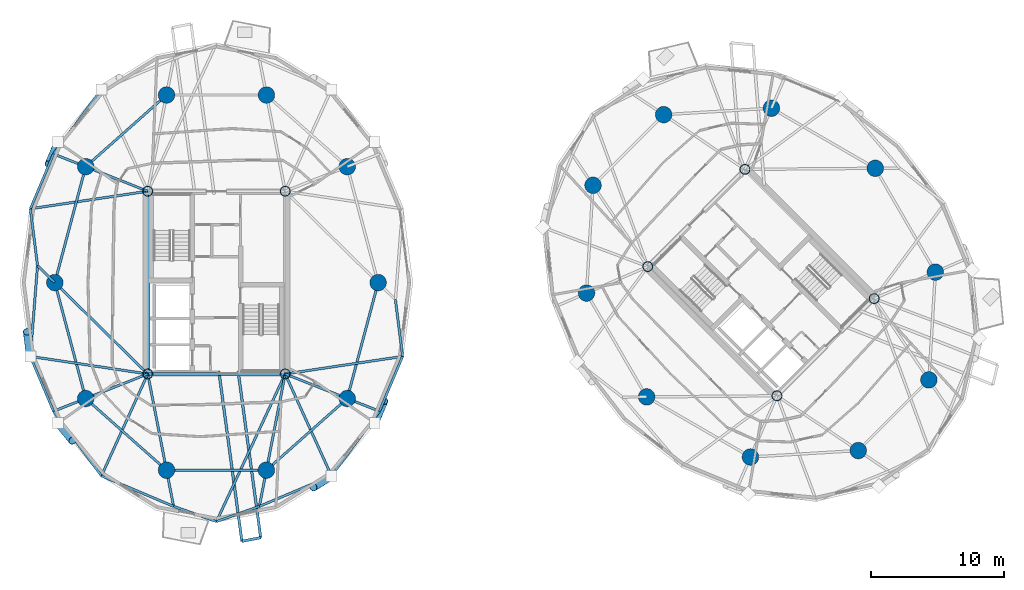
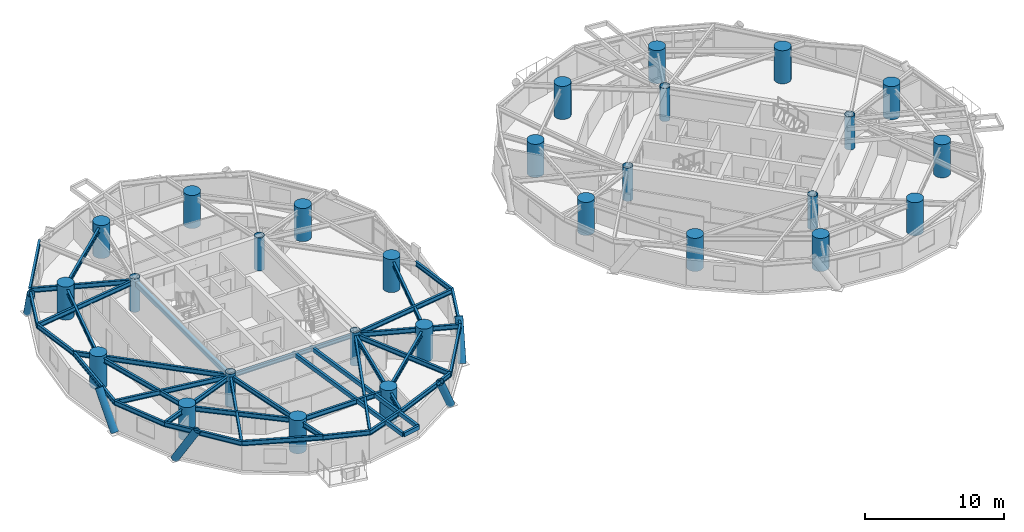
# One storey, part 1 of 19: 38 beams, 28 columns, 5 members.
"""IFC4 building model written with IfcOpenShell, lengths in metres."""

from ifc_helpers import new_model, si_unit, direction, frame, origin, origin_2d, place, context, subcontext, project, spatial, hollow_rectangle, circle, hollow_circle, i_section, extrude, material, material_profile, profile_set, type_object, element, save


model = new_model("IFC4")

# Units and contexts
model_context = context("Model", 3, precision=1e-05, world=origin(), true_north=direction((0.0, 1.0)))
body_context = subcontext(model_context, "Body", "Model", "MODEL_VIEW")
ifc_project = project(units=[si_unit("LENGTHUNIT", "METRE"), si_unit("AREAUNIT", "SQUARE_METRE"), si_unit("VOLUMEUNIT", "CUBIC_METRE"), si_unit("PLANEANGLEUNIT", "RADIAN"), si_unit("MASSUNIT", "GRAM", prefix="KILO")], contexts=[model_context])

# Site, building, storey
site_placement = place(None, origin())
site = spatial("IfcSite", under=ifc_project, at=site_placement, CompositionType="ELEMENT")
building_placement = place(site_placement, origin())
building = spatial("IfcBuilding", under=site, at=building_placement, Name="Cununo Teusaquillo Station Towers", CompositionType="ELEMENT")
storey_placement = place(building_placement, frame((0.0, 0.0, 160.330078125)))
storey = spatial("IfcBuildingStorey", under=building, at=storey_placement, Name="L50", CompositionType="ELEMENT", Elevation=160.330078125)

# Columns
ifc_material_1 = material(Name="Steel EN 10025-2 S355J2", Category="steel")
ifc_material_profile_1 = material_profile(ifc_material_1, hollow_circle(Radius=0.3798828125, WallThickness=0.031982421875, at=origin_2d()), Name="CHS 760x32")
ifc_profile_set_1 = profile_set([ifc_material_profile_1], Name="Steel EN 10025-2 S355J2")
column_type_1 = type_object("IfcColumnType", Name="COL-CORE-Z2", PredefinedType="COLUMN", material=ifc_profile_set_1)
for number, where, z_axis, x_axis, name in (
    (1, (11.324951171875, 17.6201171875, 0.0), (0.0, 0.0, 1.0), (1.0, 0.0, 0.0), "L50 Tower A Core Column 1"),
    (2, (11.324951171875, 31.3798828125, 0.0), (0.0, 0.0, 1.0), (1.0, 0.0, 0.0), "L50 Tower A Core Column 2"),
    (3, (21.675048828125, 17.6201171875, 0.0), (0.0, 0.0, 1.0), (1.0, 0.0, 0.0), "L50 Tower A Core Column 3"),
    (4, (21.675048828125, 31.3798828125, 0.0), (0.0, 0.0, 1.0), (1.0, 0.0, 0.0), "L50 Tower A Core Column 4"),
    (5, (58.70556640625, 15.975830078125, 0.0), (0.0, 0.0, 1.0), (0.707106781187, 0.707106781187, 0.0), "L50 Tower B Core Column 1"),
    (6, (48.975830078125, 25.70556640625, 0.0), (0.0, 0.0, 1.0), (0.707106781187, 0.707106781187, 0.0), "L50 Tower B Core Column 2"),
    (7, (66.024169921875, 23.29443359375, 0.0), (0.0, 0.0, 1.0), (0.707106781187, 0.707106781187, 0.0), "L50 Tower B Core Column 3"),
    (8, (56.29443359375, 33.024169921875, 0.0), (0.0, 0.0, 1.0), (0.707106781187, 0.707106781187, 0.0), "L50 Tower B Core Column 4"),
):
    element("IfcColumn", number, at=place(storey_placement, frame(where, z_axis=z_axis, x_axis=x_axis)), inside=storey, type_object=column_type_1, Name=name, PredefinedType="COLUMN", context=body_context, shape_type="SweptSolid", body=[
        extrude(hollow_circle(Radius=0.3798828125, WallThickness=0.031982421875, at=origin_2d()), origin(), (0.0, 0.0, 1.0), 2.909912109375),
    ])
ifc_material_2 = material(Name="Concrete C60/75", Category="concrete")
ifc_material_profile_2 = material_profile(ifc_material_2, circle(Radius=0.625, at=origin_2d()), Name="RC-CIRC-1250")
ifc_profile_set_2 = profile_set([ifc_material_profile_2], Name="Concrete C60/75")
column_type_2 = type_object("IfcColumnType", Name="COL-MEGA-Z3", PredefinedType="USERDEFINED", material=ifc_profile_set_2)
for number, where, z_axis, x_axis, name in (
    (9, (28.672119140625, 24.5, 0.0), (0.0, 0.0, 1.0), (1.0, 0.0, 0.0), "L50 Tower A Perimeter Column V00"),
    (10, (26.347412109375, 33.228515625, 0.0), (0.0, 0.0, 1.0), (1.0, 0.0, 0.0), "L50 Tower A Perimeter Column V02"),
    (11, (20.261474609375, 38.623291015625, 0.0), (0.0, 0.0, 1.0), (1.0, 0.0, 0.0), "L50 Tower A Perimeter Column V04"),
    (12, (12.738525390625, 38.623291015625, 0.0), (0.0, 0.0, 1.0), (1.0, 0.0, 0.0), "L50 Tower A Perimeter Column V06"),
    (13, (6.652587890625, 33.228515625, 0.0), (0.0, 0.0, 1.0), (1.0, 0.0, 0.0), "L50 Tower A Perimeter Column V08"),
    (14, (4.327880859375, 24.5, 0.0), (0.0, 0.0, 1.0), (1.0, 0.0, 0.0), "L50 Tower A Perimeter Column V10"),
    (15, (6.652587890625, 15.771484375, 0.0), (0.0, 0.0, 1.0), (1.0, 0.0, 0.0), "L50 Tower A Perimeter Column V12"),
    (16, (12.738525390625, 10.376708984375, 0.0), (0.0, 0.0, 1.0), (1.0, 0.0, 0.0), "L50 Tower A Perimeter Column V14"),
    (17, (20.261474609375, 10.376708984375, 0.0), (0.0, 0.0, 1.0), (1.0, 0.0, 0.0), "L50 Tower A Perimeter Column V16"),
    (18, (26.347412109375, 15.771484375, 0.0), (0.0, 0.0, 1.0), (1.0, 0.0, 0.0), "L50 Tower A Perimeter Column V18"),
    (19, (66.10693359375, 33.10693359375, 0.0), (0.0, 0.0, 1.0), (1.0, 0.0, 0.0), "L50 Tower B Perimeter Column V00"),
    (20, (58.291015625, 37.63525390625, 0.0), (0.0, 0.0, 1.0), (1.0, 0.0, 0.0), "L50 Tower B Perimeter Column V02"),
    (21, (50.173095703125, 37.146240234375, 0.0), (0.0, 0.0, 1.0), (1.0, 0.0, 0.0), "L50 Tower B Perimeter Column V04"),
    (22, (44.853759765625, 31.826904296875, 0.0), (0.0, 0.0, 1.0), (1.0, 0.0, 0.0), "L50 Tower B Perimeter Column V06"),
    (23, (44.36474609375, 23.708984375, 0.0), (0.0, 0.0, 1.0), (1.0, 0.0, 0.0), "L50 Tower B Perimeter Column V08"),
    (24, (48.89306640625, 15.89306640625, 0.0), (0.0, 0.0, 1.0), (1.0, 0.0, 0.0), "L50 Tower B Perimeter Column V10"),
    (25, (56.708984375, 11.36474609375, 0.0), (0.0, 0.0, 1.0), (1.0, 0.0, 0.0), "L50 Tower B Perimeter Column V12"),
    (26, (64.826904296875, 11.853759765625, 0.0), (0.0, 0.0, 1.0), (1.0, 0.0, 0.0), "L50 Tower B Perimeter Column V14"),
    (27, (70.146240234375, 17.173095703125, 0.0), (0.0, 0.0, 1.0), (1.0, 0.0, 0.0), "L50 Tower B Perimeter Column V16"),
    (28, (70.63525390625, 25.291015625, 0.0), (0.0, 0.0, 1.0), (1.0, 0.0, 0.0), "L50 Tower B Perimeter Column V18"),
):
    element("IfcColumn", number, at=place(storey_placement, frame(where, z_axis=z_axis, x_axis=x_axis)), inside=storey, type_object=column_type_2, Name=name, ObjectType="MEGA COLUMN", PredefinedType="USERDEFINED", context=body_context, shape_type="SweptSolid", body=[
        extrude(circle(Radius=0.625, at=origin_2d()), origin(), (0.0, 0.0, 1.0), 2.909912109375),
    ])

# Beams
ifc_material_3 = material(Name="Steel EN 10025-2 S355J2", Category="steel")
ifc_material_profile_3 = material_profile(ifc_material_3, hollow_rectangle(XDim=0.199951171875, YDim=0.35009765625, WallThickness=0.013916015625, at=origin_2d()), Name="RHS 350x200x14")
ifc_profile_set_3 = profile_set([ifc_material_profile_3], Name="Steel EN 10025-2 S355J2")
beam_type_1 = type_object("IfcBeamType", Name="BM-BAL-CANT", PredefinedType="BEAM", material=ifc_profile_set_3)
beam_1_placement = place(storey_placement, frame((16.674560546875, 17.85009765625, 2.514892578125), z_axis=(0.13427925042, -0.990943531644, 0.0), x_axis=(0.990943531644, 0.13427925042, 0.0)))
element("IfcBeam", 29, at=beam_1_placement, inside=storey, type_object=beam_type_1, Name="L50 Tower A Balcony Cantilever Bracket 2A", PredefinedType="BEAM", context=body_context, shape_type="SweptSolid", body=[
    extrude(hollow_rectangle(XDim=0.199951171875, YDim=0.35009765625, WallThickness=0.013916015625, at=origin_2d()), origin(), (0.0, 0.0, 1.0), 12.947021484375),
])
beam_2_placement = place(storey_placement, frame((18.127685546875, 17.85009765625, 2.514892578125), z_axis=(0.134274846508, -0.990944128392, 0.0), x_axis=(0.990944128392, 0.134274846508, 0.0)))
element("IfcBeam", 30, at=beam_2_placement, inside=storey, type_object=beam_type_1, Name="L50 Tower A Balcony Cantilever Bracket 2B", PredefinedType="BEAM", context=body_context, shape_type="SweptSolid", body=[
    extrude(hollow_rectangle(XDim=0.199951171875, YDim=0.35009765625, WallThickness=0.013916015625, at=origin_2d()), origin(), (0.0, 0.0, 1.0), 12.671142578125),
])
ifc_material_4 = material(Name="Steel EN 10025-2 S355J2", Category="steel")
ifc_material_profile_4 = material_profile(ifc_material_4, hollow_rectangle(XDim=0.25, YDim=0.449951171875, WallThickness=0.01611328125, at=origin_2d()), Name="RHS 450x250x16")
ifc_profile_set_4 = profile_set([ifc_material_profile_4], Name="Steel EN 10025-2 S355J2")
beam_type_2 = type_object("IfcBeamType", Name="BM-COUP-1", PredefinedType="USERDEFINED", material=ifc_profile_set_4)
beam_3_placement = place(storey_placement, frame((11.324951171875, 17.6201171875, 2.46484375), z_axis=(0.0, 1.0, 0.0), x_axis=(-1.0, 0.0, 0.0)))
element("IfcBeam", 31, at=beam_3_placement, inside=storey, type_object=beam_type_2, Name="L50 Tower A Core Beam 1", ObjectType="COUPLING BEAM", PredefinedType="USERDEFINED", context=body_context, shape_type="SweptSolid", body=[
    extrude(hollow_rectangle(XDim=0.25, YDim=0.449951171875, WallThickness=0.01611328125, at=origin_2d()), origin(), (0.0, 0.0, 1.0), 13.759765625),
])
ifc_material_5 = material(Name="Steel ASTM A572 Grade 50", Category="steel")
ifc_material_profile_5 = material_profile(ifc_material_5, i_section(OverallWidth=0.180908203125, OverallDepth=0.4169921875, WebThickness=0.010986328125, FlangeThickness=0.018310546875, FilletRadius=0.012939453125, at=origin_2d()), Name="W16X57")
ifc_profile_set_5 = profile_set([ifc_material_profile_5], Name="Steel ASTM A572 Grade 50")
beam_type_3 = type_object("IfcBeamType", Name="BM-JOIST-1", PredefinedType="JOIST", material=ifc_profile_set_5)
for number, where, z_axis, x_axis, name in (
    (32, (11.324951171875, 31.3798828125, 2.4814453125), (-0.989018754675, -0.147790063606, 0.0), (0.147790063606, -0.989018754675, 0.0), "L50 Tower A Radial Spandrel Joist V09"),
    (33, (11.324951171875, 17.6201171875, 2.4814453125), (-0.989018754675, 0.147790063606, 0.0), (-0.147790063606, -0.989018754675, 0.0), "L50 Tower A Radial Spandrel Joist V11"),
):
    element("IfcBeam", number, at=place(storey_placement, frame(where, z_axis=z_axis, x_axis=x_axis)), inside=storey, type_object=beam_type_3, Name=name, PredefinedType="JOIST", context=body_context, shape_type="SweptSolid", body=[
        extrude(i_section(OverallWidth=0.180908203125, OverallDepth=0.4169921875, WebThickness=0.010986328125, FlangeThickness=0.018310546875, FilletRadius=0.012939453125, at=origin_2d()), origin(), (0.0, 0.0, 1.0), 8.93701171875),
    ])
beam_4_placement = place(storey_placement, frame((11.324951171875, 17.6201171875, 2.4814453125), z_axis=(-0.413558514621, -0.910477542274, 0.0), x_axis=(0.910477542274, -0.413558514621, 0.0)))
element("IfcBeam", 34, at=beam_4_placement, inside=storey, type_object=beam_type_3, Name="L50 Tower A Radial Spandrel Joist V13", PredefinedType="JOIST", context=body_context, shape_type="SweptSolid", body=[
    extrude(i_section(OverallWidth=0.180908203125, OverallDepth=0.4169921875, WebThickness=0.010986328125, FlangeThickness=0.018310546875, FilletRadius=0.012939453125, at=origin_2d()), origin(), (0.0, 0.0, 1.0), 8.428955078125),
])
beam_5_placement = place(storey_placement, frame((21.675048828125, 17.6201171875, 2.4814453125), z_axis=(-0.422237603969, -0.906485193368, 0.0), x_axis=(0.906485193368, -0.422237603969, 0.0)))
element("IfcBeam", 35, at=beam_5_placement, inside=storey, type_object=beam_type_3, Name="L50 Tower A Radial Spandrel Joist V15", PredefinedType="JOIST", context=body_context, shape_type="SweptSolid", body=[
    extrude(i_section(OverallWidth=0.180908203125, OverallDepth=0.4169921875, WebThickness=0.010986328125, FlangeThickness=0.018310546875, FilletRadius=0.012939453125, at=origin_2d()), origin(), (0.0, 0.0, 1.0), 12.25634765625),
])
beam_6_placement = place(storey_placement, frame((21.675048828125, 17.6201171875, 2.4814453125), z_axis=(0.413558514621, -0.910477542274, 0.0), x_axis=(0.910477542274, 0.413558514621, 0.0)))
element("IfcBeam", 36, at=beam_6_placement, inside=storey, type_object=beam_type_3, Name="L50 Tower A Radial Spandrel Joist V17", PredefinedType="JOIST", context=body_context, shape_type="SweptSolid", body=[
    extrude(i_section(OverallWidth=0.180908203125, OverallDepth=0.4169921875, WebThickness=0.010986328125, FlangeThickness=0.018310546875, FilletRadius=0.012939453125, at=origin_2d()), origin(), (0.0, 0.0, 1.0), 8.428955078125),
])
beam_7_placement = place(storey_placement, frame((21.675048828125, 17.6201171875, 2.4814453125), z_axis=(0.989018754675, 0.147790063606, 0.0), x_axis=(-0.147790063606, 0.989018754675, 0.0)))
element("IfcBeam", 37, at=beam_7_placement, inside=storey, type_object=beam_type_3, Name="L50 Tower A Radial Spandrel Joist V19", PredefinedType="JOIST", context=body_context, shape_type="SweptSolid", body=[
    extrude(i_section(OverallWidth=0.180908203125, OverallDepth=0.4169921875, WebThickness=0.010986328125, FlangeThickness=0.018310546875, FilletRadius=0.012939453125, at=origin_2d()), origin(), (0.0, 0.0, 1.0), 8.93701171875),
])
ifc_material_6 = material(Name="Steel ASTM A572 Grade 50", Category="steel")
ifc_material_profile_6 = material_profile(ifc_material_6, i_section(OverallWidth=0.2041015625, OverallDepth=0.35009765625, WebThickness=0.008544921875, FlangeThickness=0.01513671875, FilletRadius=0.011962890625, at=origin_2d()), Name="W14X48")
ifc_profile_set_6 = profile_set([ifc_material_profile_6], Name="Steel ASTM A572 Grade 50")
beam_type_4 = type_object("IfcBeamType", Name="BM-LINTEL-1", PredefinedType="LINTEL", material=ifc_profile_set_6)
beam_8_placement = place(storey_placement, frame((11.324951171875, 17.6201171875, 2.514892578125), z_axis=(1.0, 0.0, 0.0), x_axis=(0.0, 1.0, 0.0)))
element("IfcBeam", 38, at=beam_8_placement, inside=storey, type_object=beam_type_4, Name="L50 Tower A Core Beam 3", PredefinedType="LINTEL", context=body_context, shape_type="SweptSolid", body=[
    extrude(i_section(OverallWidth=0.2041015625, OverallDepth=0.35009765625, WebThickness=0.008544921875, FlangeThickness=0.01513671875, FilletRadius=0.011962890625, at=origin_2d()), origin(), (0.0, 0.0, 1.0), 10.35009765625),
])
ifc_material_7 = material(Name="Steel ASTM A572 Grade 50", Category="steel")
ifc_material_profile_7 = material_profile(ifc_material_7, i_section(OverallWidth=0.180908203125, OverallDepth=0.4169921875, WebThickness=0.010986328125, FlangeThickness=0.018310546875, FilletRadius=0.012939453125, at=origin_2d()), Name="W16X57")
ifc_profile_set_7 = profile_set([ifc_material_profile_7], Name="Steel ASTM A572 Grade 50")
beam_type_5 = type_object("IfcBeamType", Name="BM-RAD-G2", PredefinedType="BEAM", material=ifc_profile_set_7)
beam_9_placement = place(storey_placement, frame((11.324951171875, 31.3798828125, 2.4814453125), z_axis=(-0.929862250459, 0.367907862341, 0.0), x_axis=(-0.367907862341, -0.929862250459, 0.0)))
element("IfcBeam", 39, at=beam_9_placement, inside=storey, type_object=beam_type_5, Name="L50 Tower A Continuous Overhanging Radial Girder 05", PredefinedType="BEAM", context=body_context, shape_type="SweptSolid", body=[
    extrude(i_section(OverallWidth=0.180908203125, OverallDepth=0.4169921875, WebThickness=0.010986328125, FlangeThickness=0.018310546875, FilletRadius=0.012939453125, at=origin_2d()), origin(), (0.0, 0.0, 1.0), 7.632080078125),
])
beam_10_placement = place(storey_placement, frame((11.324951171875, 17.6201171875, 2.4814453125), z_axis=(-0.713052701438, 0.701110437073, 0.0), x_axis=(-0.701110437073, -0.713052701438, 0.0)))
element("IfcBeam", 40, at=beam_10_placement, inside=storey, type_object=beam_type_5, Name="L50 Tower A Radial Girder 06A", PredefinedType="BEAM", context=body_context, shape_type="SweptSolid", body=[
    extrude(i_section(OverallWidth=0.180908203125, OverallDepth=0.4169921875, WebThickness=0.010986328125, FlangeThickness=0.018310546875, FilletRadius=0.012939453125, at=origin_2d()), origin(), (0.0, 0.0, 1.0), 9.812744140625),
])
beam_11_placement = place(storey_placement, frame((4.327880859375, 24.5, 2.4814453125), z_axis=(-0.713027019349, 0.701136555657, 0.0), x_axis=(-0.701136555657, -0.713027019349, 0.0)))
element("IfcBeam", 41, at=beam_11_placement, inside=storey, type_object=beam_type_5, Name="L50 Tower A Perimeter Overhang Girder 06B", PredefinedType="BEAM", context=body_context, shape_type="SweptSolid", body=[
    extrude(i_section(OverallWidth=0.180908203125, OverallDepth=0.4169921875, WebThickness=0.010986328125, FlangeThickness=0.018310546875, FilletRadius=0.012939453125, at=origin_2d()), origin(), (0.0, 0.0, 1.0), 1.827392578125),
])
beam_12_placement = place(storey_placement, frame((11.324951171875, 17.6201171875, 2.4814453125), z_axis=(-0.929862250459, -0.367907862341, 0.0), x_axis=(0.367907862341, -0.929862250459, 0.0)))
element("IfcBeam", 42, at=beam_12_placement, inside=storey, type_object=beam_type_5, Name="L50 Tower A Continuous Overhanging Radial Girder 07", PredefinedType="BEAM", context=body_context, shape_type="SweptSolid", body=[
    extrude(i_section(OverallWidth=0.180908203125, OverallDepth=0.4169921875, WebThickness=0.010986328125, FlangeThickness=0.018310546875, FilletRadius=0.012939453125, at=origin_2d()), origin(), (0.0, 0.0, 1.0), 7.632080078125),
])
for number, where, z_axis, x_axis, name in (
    (43, (11.324951171875, 17.6201171875, 2.4814453125), (0.191552706487, -0.981482328235, 0.0), (0.981482328235, 0.191552706487, 0.0), "L50 Tower A Continuous Overhanging Radial Girder 08"),
    (44, (21.675048828125, 17.6201171875, 2.4814453125), (-0.191552706487, -0.981482328235, 0.0), (0.981482328235, -0.191552706487, 0.0), "L50 Tower A Continuous Overhanging Radial Girder 09"),
):
    element("IfcBeam", number, at=place(storey_placement, frame(where, z_axis=z_axis, x_axis=x_axis)), inside=storey, type_object=beam_type_5, Name=name, PredefinedType="BEAM", context=body_context, shape_type="SweptSolid", body=[
        extrude(i_section(OverallWidth=0.180908203125, OverallDepth=0.4169921875, WebThickness=0.010986328125, FlangeThickness=0.018310546875, FilletRadius=0.012939453125, at=origin_2d()), origin(), (0.0, 0.0, 1.0), 10.159423828125),
    ])
beam_13_placement = place(storey_placement, frame((21.675048828125, 17.6201171875, 2.4814453125), z_axis=(0.929862250459, -0.367907862341, 0.0), x_axis=(0.367907862341, 0.929862250459, 0.0)))
element("IfcBeam", 45, at=beam_13_placement, inside=storey, type_object=beam_type_5, Name="L50 Tower A Continuous Overhanging Radial Girder 10", PredefinedType="BEAM", context=body_context, shape_type="SweptSolid", body=[
    extrude(i_section(OverallWidth=0.180908203125, OverallDepth=0.4169921875, WebThickness=0.010986328125, FlangeThickness=0.018310546875, FilletRadius=0.012939453125, at=origin_2d()), origin(), (0.0, 0.0, 1.0), 7.632080078125),
])
ifc_material_8 = material(Name="Steel ASTM A572 Grade 50", Category="steel")
ifc_material_profile_8 = material_profile(ifc_material_8, i_section(OverallWidth=0.180908203125, OverallDepth=0.4169921875, WebThickness=0.010986328125, FlangeThickness=0.018310546875, FilletRadius=0.012939453125, at=origin_2d()), Name="W16X57")
ifc_profile_set_8 = profile_set([ifc_material_profile_8], Name="Steel ASTM A572 Grade 50")
beam_type_6 = type_object("IfcBeamType", Name="BM-RING-Z3", PredefinedType="SPANDREL", material=ifc_profile_set_8)
beam_14_placement = place(storey_placement, frame((12.738525390625, 38.623291015625, 2.4814453125), z_axis=(-0.74832120039, -0.66333655187, 0.0), x_axis=(0.66333655187, -0.74832120039, 0.0)))
element("IfcBeam", 46, at=beam_14_placement, inside=storey, type_object=beam_type_6, Name="L50 Tower A Structural Column Ring Girder 04", PredefinedType="SPANDREL", context=body_context, shape_type="SweptSolid", body=[
    extrude(i_section(OverallWidth=0.180908203125, OverallDepth=0.4169921875, WebThickness=0.010986328125, FlangeThickness=0.018310546875, FilletRadius=0.012939453125, at=origin_2d()), origin(), (0.0, 0.0, 1.0), 8.1328125),
])
for number, where, z_axis, x_axis, name in (
    (47, (6.652587890625, 33.228515625, 2.4814453125), (-0.257363196347, -0.966314744359, 0.0), (0.966314744359, -0.257363196347, 0.0), "L50 Tower A Structural Column Ring Girder 05"),
    (48, (4.327880859375, 24.5, 2.4814453125), (0.257363196347, -0.966314744359, 0.0), (0.966314744359, 0.257363196347, 0.0), "L50 Tower A Structural Column Ring Girder 06"),
):
    element("IfcBeam", number, at=place(storey_placement, frame(where, z_axis=z_axis, x_axis=x_axis)), inside=storey, type_object=beam_type_6, Name=name, PredefinedType="SPANDREL", context=body_context, shape_type="SweptSolid", body=[
        extrude(i_section(OverallWidth=0.180908203125, OverallDepth=0.4169921875, WebThickness=0.010986328125, FlangeThickness=0.018310546875, FilletRadius=0.012939453125, at=origin_2d()), origin(), (0.0, 0.0, 1.0), 9.03271484375),
    ])
beam_15_placement = place(storey_placement, frame((6.652587890625, 15.771484375, 2.4814453125), z_axis=(0.74832120039, -0.66333655187, 0.0), x_axis=(0.66333655187, 0.74832120039, 0.0)))
element("IfcBeam", 49, at=beam_15_placement, inside=storey, type_object=beam_type_6, Name="L50 Tower A Structural Column Ring Girder 07", PredefinedType="SPANDREL", context=body_context, shape_type="SweptSolid", body=[
    extrude(i_section(OverallWidth=0.180908203125, OverallDepth=0.4169921875, WebThickness=0.010986328125, FlangeThickness=0.018310546875, FilletRadius=0.012939453125, at=origin_2d()), origin(), (0.0, 0.0, 1.0), 8.1328125),
])
beam_16_placement = place(storey_placement, frame((12.738525390625, 10.376708984375, 2.4814453125), z_axis=(1.0, 0.0, 0.0), x_axis=(0.0, 1.0, 0.0)))
element("IfcBeam", 50, at=beam_16_placement, inside=storey, type_object=beam_type_6, Name="L50 Tower A Structural Column Ring Girder 08", PredefinedType="SPANDREL", context=body_context, shape_type="SweptSolid", body=[
    extrude(i_section(OverallWidth=0.180908203125, OverallDepth=0.4169921875, WebThickness=0.010986328125, FlangeThickness=0.018310546875, FilletRadius=0.012939453125, at=origin_2d()), origin(), (0.0, 0.0, 1.0), 7.52294921875),
])
beam_17_placement = place(storey_placement, frame((20.261474609375, 10.376708984375, 2.4814453125), z_axis=(0.74832120039, 0.66333655187, 0.0), x_axis=(-0.66333655187, 0.74832120039, 0.0)))
element("IfcBeam", 51, at=beam_17_placement, inside=storey, type_object=beam_type_6, Name="L50 Tower A Structural Column Ring Girder 09", PredefinedType="SPANDREL", context=body_context, shape_type="SweptSolid", body=[
    extrude(i_section(OverallWidth=0.180908203125, OverallDepth=0.4169921875, WebThickness=0.010986328125, FlangeThickness=0.018310546875, FilletRadius=0.012939453125, at=origin_2d()), origin(), (0.0, 0.0, 1.0), 8.1328125),
])
beam_18_placement = place(storey_placement, frame((26.347412109375, 15.771484375, 2.4814453125), z_axis=(0.257363196347, 0.966314744359, 0.0), x_axis=(-0.966314744359, 0.257363196347, 0.0)))
element("IfcBeam", 52, at=beam_18_placement, inside=storey, type_object=beam_type_6, Name="L50 Tower A Structural Column Ring Girder 10", PredefinedType="SPANDREL", context=body_context, shape_type="SweptSolid", body=[
    extrude(i_section(OverallWidth=0.180908203125, OverallDepth=0.4169921875, WebThickness=0.010986328125, FlangeThickness=0.018310546875, FilletRadius=0.012939453125, at=origin_2d()), origin(), (0.0, 0.0, 1.0), 9.03271484375),
])
beam_19_placement = place(storey_placement, frame((7.839111328125, 39.05419921875, 2.4814453125), z_axis=(-0.595872908853, -0.803078748626, 0.0), x_axis=(0.803078748626, -0.595872908853, 0.0)))
element("IfcBeam", 53, at=beam_19_placement, inside=storey, type_object=beam_type_6, Name="L50 Tower A Spandrel Ring Beam 08", PredefinedType="SPANDREL", context=body_context, shape_type="SweptSolid", body=[
    extrude(i_section(OverallWidth=0.180908203125, OverallDepth=0.4169921875, WebThickness=0.010986328125, FlangeThickness=0.018310546875, FilletRadius=0.012939453125, at=origin_2d()), origin(), (0.0, 0.0, 1.0), 6.059814453125),
])
beam_20_placement = place(storey_placement, frame((4.228271484375, 34.187744140625, 2.4814453125), z_axis=(-0.388777827816, -0.921331536744, 0.0), x_axis=(0.921331536744, -0.388777827816, 0.0)))
element("IfcBeam", 54, at=beam_20_placement, inside=storey, type_object=beam_type_6, Name="L50 Tower A Spandrel Ring Beam 09", PredefinedType="SPANDREL", context=body_context, shape_type="SweptSolid", body=[
    extrude(i_section(OverallWidth=0.180908203125, OverallDepth=0.4169921875, WebThickness=0.010986328125, FlangeThickness=0.018310546875, FilletRadius=0.012939453125, at=origin_2d()), origin(), (0.0, 0.0, 1.0), 4.481201171875),
])
beam_21_placement = place(storey_placement, frame((2.486083984375, 30.05908203125, 2.4814453125), z_axis=(0.124968535363, -0.992160705314, 0.0), x_axis=(0.992160705314, 0.124968535363, 0.0)))
element("IfcBeam", 55, at=beam_21_placement, inside=storey, type_object=beam_type_6, Name="L50 Tower A Spandrel Ring Beam 10", PredefinedType="SPANDREL", context=body_context, shape_type="SweptSolid", body=[
    extrude(i_section(OverallWidth=0.180908203125, OverallDepth=0.4169921875, WebThickness=0.010986328125, FlangeThickness=0.018310546875, FilletRadius=0.012939453125, at=origin_2d()), origin(), (0.0, 0.0, 1.0), 4.3115234375),
])
beam_22_placement = place(storey_placement, frame((3.02490234375, 25.78125, 2.4814453125), z_axis=(-0.078527541639, -0.996911944559, 0.0), x_axis=(0.996911944559, -0.078527541639, 0.0)))
element("IfcBeam", 56, at=beam_22_placement, inside=storey, type_object=beam_type_6, Name="L50 Tower A Spandrel Ring Beam 11", PredefinedType="SPANDREL", context=body_context, shape_type="SweptSolid", body=[
    extrude(i_section(OverallWidth=0.180908203125, OverallDepth=0.4169921875, WebThickness=0.010986328125, FlangeThickness=0.018310546875, FilletRadius=0.012939453125, at=origin_2d()), origin(), (0.0, 0.0, 1.0), 6.861572265625),
])
beam_23_placement = place(storey_placement, frame((2.486083984375, 18.94091796875, 2.4814453125), z_axis=(0.388777827816, -0.921331536744, 0.0), x_axis=(0.921331536744, 0.388777827816, 0.0)))
element("IfcBeam", 57, at=beam_23_placement, inside=storey, type_object=beam_type_6, Name="L50 Tower A Spandrel Ring Beam 12", PredefinedType="SPANDREL", context=body_context, shape_type="SweptSolid", body=[
    extrude(i_section(OverallWidth=0.180908203125, OverallDepth=0.4169921875, WebThickness=0.010986328125, FlangeThickness=0.018310546875, FilletRadius=0.012939453125, at=origin_2d()), origin(), (0.0, 0.0, 1.0), 4.481201171875),
])
beam_24_placement = place(storey_placement, frame((4.228271484375, 14.812255859375, 2.4814453125), z_axis=(0.595872908853, -0.803078748626, 0.0), x_axis=(0.803078748626, 0.595872908853, 0.0)))
element("IfcBeam", 58, at=beam_24_placement, inside=storey, type_object=beam_type_6, Name="L50 Tower A Spandrel Ring Beam 13", PredefinedType="SPANDREL", context=body_context, shape_type="SweptSolid", body=[
    extrude(i_section(OverallWidth=0.180908203125, OverallDepth=0.4169921875, WebThickness=0.010986328125, FlangeThickness=0.018310546875, FilletRadius=0.012939453125, at=origin_2d()), origin(), (0.0, 0.0, 1.0), 6.059814453125),
])
beam_25_placement = place(storey_placement, frame((7.839111328125, 9.94580078125, 2.4814453125), z_axis=(0.921042081118, -0.38946307246, 0.0), x_axis=(0.38946307246, 0.921042081118, 0.0)))
element("IfcBeam", 59, at=beam_25_placement, inside=storey, type_object=beam_type_6, Name="L50 Tower A Spandrel Ring Beam 14", PredefinedType="SPANDREL", context=body_context, shape_type="SweptSolid", body=[
    extrude(i_section(OverallWidth=0.180908203125, OverallDepth=0.4169921875, WebThickness=0.010986328125, FlangeThickness=0.018310546875, FilletRadius=0.012939453125, at=origin_2d()), origin(), (0.0, 0.0, 1.0), 5.8974609375),
])
for number, where, z_axis, x_axis, name in (
    (60, (13.27099609375, 7.64892578125, 2.4814453125), (0.943057449198, -0.332629895698, 0.0), (0.332629895698, 0.943057449198, 0.0), "L50 Tower A Spandrel Ring Beam 15"),
    (61, (16.5, 6.510009765625, 2.4814453125), (0.943057449198, 0.332629895698, 0.0), (-0.332629895698, 0.943057449198, 0.0), "L50 Tower A Spandrel Ring Beam 16"),
):
    element("IfcBeam", number, at=place(storey_placement, frame(where, z_axis=z_axis, x_axis=x_axis)), inside=storey, type_object=beam_type_6, Name=name, PredefinedType="SPANDREL", context=body_context, shape_type="SweptSolid", body=[
        extrude(i_section(OverallWidth=0.180908203125, OverallDepth=0.4169921875, WebThickness=0.010986328125, FlangeThickness=0.018310546875, FilletRadius=0.012939453125, at=origin_2d()), origin(), (0.0, 0.0, 1.0), 3.424072265625),
    ])
beam_26_placement = place(storey_placement, frame((19.72900390625, 7.64892578125, 2.4814453125), z_axis=(0.921042081118, 0.38946307246, 0.0), x_axis=(-0.38946307246, 0.921042081118, 0.0)))
element("IfcBeam", 62, at=beam_26_placement, inside=storey, type_object=beam_type_6, Name="L50 Tower A Spandrel Ring Beam 17", PredefinedType="SPANDREL", context=body_context, shape_type="SweptSolid", body=[
    extrude(i_section(OverallWidth=0.180908203125, OverallDepth=0.4169921875, WebThickness=0.010986328125, FlangeThickness=0.018310546875, FilletRadius=0.012939453125, at=origin_2d()), origin(), (0.0, 0.0, 1.0), 5.8974609375),
])
beam_27_placement = place(storey_placement, frame((25.160888671875, 9.94580078125, 2.4814453125), z_axis=(0.595872908853, 0.803078748626, 0.0), x_axis=(-0.803078748626, 0.595872908853, 0.0)))
element("IfcBeam", 63, at=beam_27_placement, inside=storey, type_object=beam_type_6, Name="L50 Tower A Spandrel Ring Beam 18", PredefinedType="SPANDREL", context=body_context, shape_type="SweptSolid", body=[
    extrude(i_section(OverallWidth=0.180908203125, OverallDepth=0.4169921875, WebThickness=0.010986328125, FlangeThickness=0.018310546875, FilletRadius=0.012939453125, at=origin_2d()), origin(), (0.0, 0.0, 1.0), 6.059814453125),
])
beam_28_placement = place(storey_placement, frame((28.771728515625, 14.812255859375, 2.4814453125), z_axis=(0.388777827816, 0.921331536744, 0.0), x_axis=(-0.921331536744, 0.388777827816, 0.0)))
element("IfcBeam", 64, at=beam_28_placement, inside=storey, type_object=beam_type_6, Name="L50 Tower A Spandrel Ring Beam 19", PredefinedType="SPANDREL", context=body_context, shape_type="SweptSolid", body=[
    extrude(i_section(OverallWidth=0.180908203125, OverallDepth=0.4169921875, WebThickness=0.010986328125, FlangeThickness=0.018310546875, FilletRadius=0.012939453125, at=origin_2d()), origin(), (0.0, 0.0, 1.0), 4.481201171875),
])
beam_29_placement = place(storey_placement, frame((30.513916015625, 18.94091796875, 2.4814453125), z_axis=(-0.124968535363, 0.992160705314, 0.0), x_axis=(-0.992160705314, -0.124968535363, 0.0)))
element("IfcBeam", 65, at=beam_29_placement, inside=storey, type_object=beam_type_6, Name="L50 Tower A Spandrel Ring Beam 20", PredefinedType="SPANDREL", context=body_context, shape_type="SweptSolid", body=[
    extrude(i_section(OverallWidth=0.180908203125, OverallDepth=0.4169921875, WebThickness=0.010986328125, FlangeThickness=0.018310546875, FilletRadius=0.012939453125, at=origin_2d()), origin(), (0.0, 0.0, 1.0), 4.3115234375),
])
ifc_material_9 = material(Name="Steel EN 10025-2 S355J2", Category="steel")
ifc_material_profile_9 = material_profile(ifc_material_9, hollow_rectangle(XDim=0.199951171875, YDim=0.35009765625, WallThickness=0.013916015625, at=origin_2d()), Name="RHS 350x200x14")
ifc_profile_set_9 = profile_set([ifc_material_profile_9], Name="Steel EN 10025-2 S355J2")
beam_type_7 = type_object("IfcBeamType", Name="BM-STAIR-TRIM", PredefinedType="BEAM", material=ifc_profile_set_9)
beam_30_placement = place(storey_placement, frame((18.4130859375, 5.020263671875, 2.52490234375), z_axis=(0.981861262275, 0.189600795474, 0.0), x_axis=(-0.189600795474, 0.981861262275, 0.0)))
element("IfcBeam", 66, at=beam_30_placement, inside=storey, type_object=beam_type_7, Name="L50 Tower A Balcony Edge Trimmer Beam 2", PredefinedType="BEAM", context=body_context, shape_type="SweptSolid", body=[
    extrude(hollow_rectangle(XDim=0.199951171875, YDim=0.35009765625, WallThickness=0.013916015625, at=origin_2d()), origin(), (0.0, 0.0, 1.0), 1.442138671875),
])

# Members
ifc_material_10 = material(Name="Steel EN 10025-2 S355J2", Category="steel")
ifc_material_profile_10 = material_profile(ifc_material_10, hollow_circle(Radius=0.304931640625, WallThickness=0.02001953125, at=origin_2d()), Name="CHS 610x20")
ifc_profile_set_10 = profile_set([ifc_material_profile_10], Name="Steel EN 10025-2 S355J2")
member_type = type_object("IfcMemberType", Name="MBR-DIAG-Z3", PredefinedType="BRACE", material=ifc_profile_set_10)
member_1_placement = place(storey_placement, frame((4.5791015625, 35.07421875, -0.14013671875), z_axis=(-0.20348555978, -0.487667353102, 0.848984204611), x_axis=(0.922881403777, -0.385084295398, 0.0)))
element("IfcMember", 67, at=member_1_placement, inside=storey, type_object=member_type, Name="L50 Tower A Folded-Zigzag Diagrid Tube C08", PredefinedType="BRACE", context=body_context, shape_type="SweptSolid", body=[
    extrude(hollow_circle(Radius=0.304931640625, WallThickness=0.02001953125, at=origin_2d()), origin(), (0.0, 0.0, 1.0), 3.427734375),
])
member_2_placement = place(storey_placement, frame((2.486083984375, 18.94091796875, -0.14013671875), z_axis=(-0.069464307744, 0.535807007903, 0.841478199499), x_axis=(-0.991700655743, -0.128568306357, 0.0)))
element("IfcMember", 68, at=member_2_placement, inside=storey, type_object=member_type, Name="L50 Tower A Folded-Zigzag Diagrid Tube C10", PredefinedType="BRACE", context=body_context, shape_type="SweptSolid", body=[
    extrude(hollow_circle(Radius=0.304931640625, WallThickness=0.02001953125, at=origin_2d()), origin(), (0.0, 0.0, 1.0), 3.45849609375),
])
member_3_placement = place(storey_placement, frame((4.5791015625, 13.92578125, -0.14013671875), z_axis=(0.321704365244, -0.392752532181, 0.86154033559), x_axis=(0.773608318417, 0.633664082678, 0.0)))
element("IfcMember", 69, at=member_3_placement, inside=storey, type_object=member_type, Name="L50 Tower A Folded-Zigzag Diagrid Tube C12", PredefinedType="BRACE", context=body_context, shape_type="SweptSolid", body=[
    extrude(hollow_circle(Radius=0.304931640625, WallThickness=0.02001953125, at=origin_2d()), origin(), (0.0, 0.0, 1.0), 3.3779296875),
])
member_4_placement = place(storey_placement, frame((25.160888671875, 9.94580078125, -0.14013671875), z_axis=(-0.411520346825, -0.256026121625, 0.874700879841), x_axis=(0.528255801217, -0.849085277508, 0.0)))
element("IfcMember", 70, at=member_4_placement, inside=storey, type_object=member_type, Name="L50 Tower A Folded-Zigzag Diagrid Tube C16", PredefinedType="BRACE", context=body_context, shape_type="SweptSolid", body=[
    extrude(hollow_circle(Radius=0.304931640625, WallThickness=0.02001953125, at=origin_2d()), origin(), (0.0, 0.0, 1.0), 3.3271484375),
])
member_5_placement = place(storey_placement, frame((28.4208984375, 13.92578125, -0.14013671875), z_axis=(0.20348555978, 0.487667353102, 0.848984204611), x_axis=(-0.922881403777, 0.385084295398, 0.0)))
element("IfcMember", 71, at=member_5_placement, inside=storey, type_object=member_type, Name="L50 Tower A Folded-Zigzag Diagrid Tube C18", PredefinedType="BRACE", context=body_context, shape_type="SweptSolid", body=[
    extrude(hollow_circle(Radius=0.304931640625, WallThickness=0.02001953125, at=origin_2d()), origin(), (0.0, 0.0, 1.0), 3.427734375),
])

save(model, "model.ifc")
